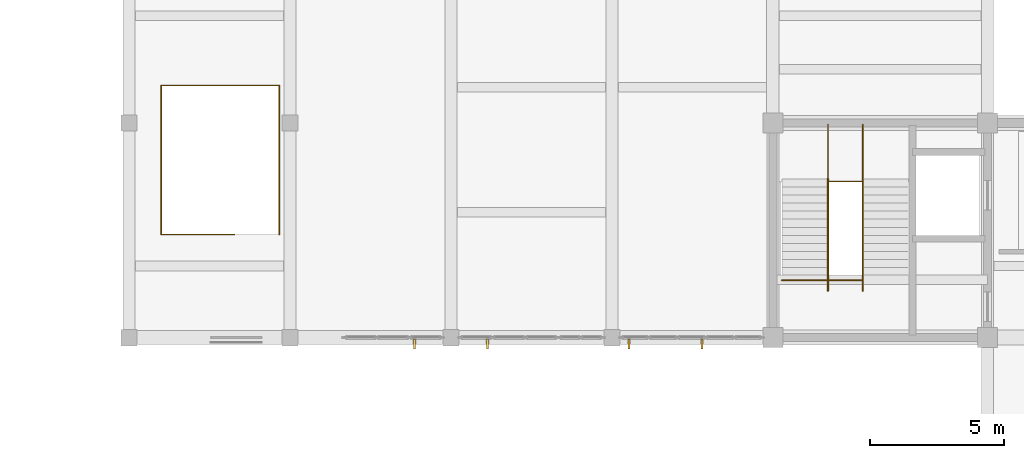
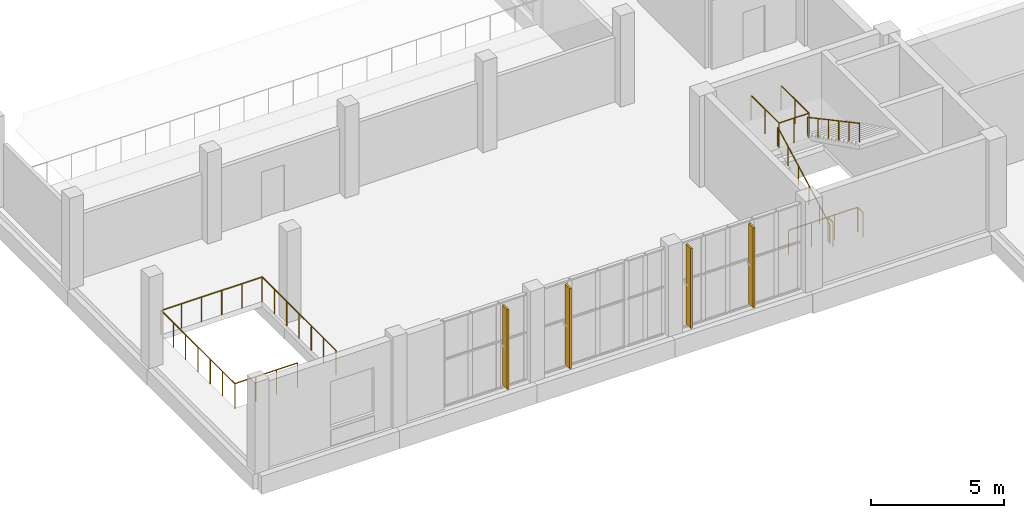
# One storey, part 75 of 85: 6 railings, 4 shading devices.
"""IFC4 building model written with IfcOpenShell, lengths in metres."""

from ifc_helpers import new_model, si_unit, direction, frame, origin, origin_2d, place, context, subcontext, project, spatial, rectangle, circle, extrude, material, type_object, element, save


model = new_model("IFC4")

# Units and contexts
model_context = context("Model", 3, precision=1e-05, world=origin(), true_north=direction((0.0, 1.0)))
body_context = subcontext(model_context, "Body", "Model", "MODEL_VIEW")
ifc_project = project(units=[si_unit("LENGTHUNIT", "METRE"), si_unit("AREAUNIT", "SQUARE_METRE"), si_unit("VOLUMEUNIT", "CUBIC_METRE"), si_unit("PLANEANGLEUNIT", "RADIAN"), si_unit("MASSUNIT", "GRAM", prefix="KILO")], contexts=[model_context])

# Site, building, storey
site_placement = place(None, origin())
site = spatial("IfcSite", under=ifc_project, at=site_placement, CompositionType="ELEMENT")
building_placement = place(site_placement, origin())
building = spatial("IfcBuilding", under=site, at=building_placement, Name="Solvane Community Centre", CompositionType="ELEMENT")
storey_placement = place(building_placement, frame((0.0, 0.0, 5.39990234375)))
storey = spatial("IfcBuildingStorey", under=building, at=storey_placement, Name="L01", CompositionType="ELEMENT", Elevation=5.39990234375)

# Shading devices
ifc_material = material(Name="Anodised bronze aluminium AW-6063 T6", Category="aluminium")
shading_device_type = type_object("IfcShadingDeviceType", Name="Art Deco Bronze Solar Fin 80x360", PredefinedType="USERDEFINED", material=ifc_material)
shading_device_1_placement = place(storey_placement, frame((57.360107421875, 21.760009765625, 0.14990234375), z_axis=(0.0, 0.0, 1.0), x_axis=(-1.0, 0.0, 0.0)))
element("IfcShadingDevice", 1, at=shading_device_1_placement, inside=storey, type_object=shading_device_type, Name="Solar Brise-Soleil Fin 41", ObjectType="Solar Brise-Soleil Fin 41", PredefinedType="USERDEFINED", context=body_context, shape_type="SweptSolid", body=[
    extrude(rectangle(XDim=0.080078125, YDim=0.360107421875, at=origin_2d()), origin(), (0.0, 0.0, 1.0), 3.679931640625),
])
shading_device_2_placement = place(storey_placement, frame((54.639892578125, 21.760009765625, 0.14990234375), z_axis=(0.0, 0.0, 1.0), x_axis=(-1.0, 0.0, 0.0)))
element("IfcShadingDevice", 2, at=shading_device_2_placement, inside=storey, type_object=shading_device_type, Name="Solar Brise-Soleil Fin 42", ObjectType="Solar Brise-Soleil Fin 42", PredefinedType="USERDEFINED", context=body_context, shape_type="SweptSolid", body=[
    extrude(rectangle(XDim=0.080078125, YDim=0.360107421875, at=origin_2d()), origin(), (0.0, 0.0, 1.0), 3.679931640625),
])
shading_device_3_placement = place(storey_placement, frame((49.360107421875, 21.760009765625, 0.14990234375), z_axis=(0.0, 0.0, 1.0), x_axis=(-1.0, 0.0, 0.0)))
element("IfcShadingDevice", 3, at=shading_device_3_placement, inside=storey, type_object=shading_device_type, Name="Solar Brise-Soleil Fin 43", ObjectType="Solar Brise-Soleil Fin 43", PredefinedType="USERDEFINED", context=body_context, shape_type="SweptSolid", body=[
    extrude(rectangle(XDim=0.080078125, YDim=0.360107421875, at=origin_2d()), origin(), (0.0, 0.0, 1.0), 3.679931640625),
])
shading_device_4_placement = place(storey_placement, frame((46.639892578125, 21.760009765625, 0.14990234375), z_axis=(0.0, 0.0, 1.0), x_axis=(-1.0, 0.0, 0.0)))
element("IfcShadingDevice", 4, at=shading_device_4_placement, inside=storey, type_object=shading_device_type, Name="Solar Brise-Soleil Fin 44", ObjectType="Solar Brise-Soleil Fin 44", PredefinedType="USERDEFINED", context=body_context, shape_type="SweptSolid", body=[
    extrude(rectangle(XDim=0.080078125, YDim=0.360107421875, at=origin_2d()), origin(), (0.0, 0.0, 1.0), 3.679931640625),
])

# Railings
railing_type_1 = type_object("IfcRailingType", Name="Interior Gallery & Stair Well Guard 1150mm", PredefinedType="BALUSTRADE", material=ifc_material)
railing_1_placement = place(storey_placement, frame((62.050048828125, 29.93994140625, 2.10009765625)))
element("IfcRailing", 5, at=railing_1_placement, inside=storey, type_object=railing_type_1, Name="Railing GR-L01-006", PredefinedType="BALUSTRADE", context=body_context, shape_type="SweptSolid", body=[
    extrude(circle(Radius=0.02392578125, at=origin_2d()), frame((0.0, 0.0, 1.1259765625), z_axis=(0.0, -1.0, 0.0), x_axis=(1.0, 0.0, 0.0)), (0.0, 0.0, 1.0), 2.119873046875),
    extrude(circle(Radius=0.02392578125, at=origin_2d()), frame((0.0, -2.119873046875, 1.1259765625), z_axis=(1.0, 0.0, 0.0), x_axis=(0.0, 1.0, 0.0)), (0.0, 0.0, 1.0), 1.300048828125),
    extrude(circle(Radius=0.02392578125, at=origin_2d()), frame((1.300048828125, -2.119873046875, 1.1259765625), z_axis=(0.0, 1.0, 0.0), x_axis=(-1.0, 0.0, 0.0)), (0.0, 0.0, 1.0), 2.119873046875),
    extrude(circle(Radius=0.02099609375, at=origin_2d()), origin(), (0.0, 0.0, 1.0), 1.101806640625),
    extrude(circle(Radius=0.02099609375, at=origin_2d()), frame((0.0, -1.06005859375, 0.0)), (0.0, 0.0, 1.0), 1.101806640625),
    extrude(circle(Radius=0.02099609375, at=origin_2d()), frame((0.0, -2.119873046875, 0.0)), (0.0, 0.0, 1.0), 1.101806640625),
    extrude(circle(Radius=0.02099609375, at=origin_2d()), frame((0.64990234375, -2.119873046875, 0.0)), (0.0, 0.0, 1.0), 1.101806640625),
    extrude(circle(Radius=0.02099609375, at=origin_2d()), frame((1.300048828125, -2.119873046875, 0.0)), (0.0, 0.0, 1.0), 1.101806640625),
    extrude(circle(Radius=0.02099609375, at=origin_2d()), frame((1.300048828125, -1.06005859375, 0.0)), (0.0, 0.0, 1.0), 1.101806640625),
    extrude(circle(Radius=0.02099609375, at=origin_2d()), frame((1.300048828125, 0.0, 0.0)), (0.0, 0.0, 1.0), 1.101806640625),
])
railing_2_placement = place(storey_placement, frame((60.340087890625, 24.139892578125, 0.0)))
element("IfcRailing", 6, at=railing_2_placement, inside=storey, type_object=railing_type_1, Name="Railing GR-L01-007", PredefinedType="BALUSTRADE", context=body_context, shape_type="SweptSolid", body=[
    extrude(circle(Radius=0.02392578125, at=origin_2d()), frame((0.0, 0.0, 1.1259765625), z_axis=(1.0, 0.0, 0.0), x_axis=(0.0, 1.0, 0.0)), (0.0, 0.0, 1.0), 3.010009765625),
    extrude(circle(Radius=0.02392578125, at=origin_2d()), frame((3.010009765625, 0.0, 1.1259765625), z_axis=(0.0, -1.0, 0.0), x_axis=(1.0, 0.0, 0.0)), (0.0, 0.0, 1.0), 0.389892578125),
    extrude(circle(Radius=0.02099609375, at=origin_2d()), origin(), (0.0, 0.0, 1.0), 1.101806640625),
    extrude(circle(Radius=0.02099609375, at=origin_2d()), frame((1.00341796875, 0.0, 0.0)), (0.0, 0.0, 1.0), 1.101806640625),
    extrude(circle(Radius=0.02099609375, at=origin_2d()), frame((2.006591796875, 0.0, 0.0)), (0.0, 0.0, 1.0), 1.101806640625),
    extrude(circle(Radius=0.02099609375, at=origin_2d()), frame((3.010009765625, 0.0, 0.0)), (0.0, 0.0, 1.0), 1.101806640625),
    extrude(circle(Radius=0.02099609375, at=origin_2d()), frame((3.010009765625, -0.389892578125, 0.0)), (0.0, 0.0, 1.0), 1.101806640625),
])
railing_3_placement = place(storey_placement, frame((62.050048828125, 23.75, 0.0)))
element("IfcRailing", 7, at=railing_3_placement, inside=storey, type_object=railing_type_1, Name="Railing GR-L01-008", PredefinedType="BALUSTRADE", context=body_context, shape_type="SweptSolid", body=[
    extrude(circle(Radius=0.02392578125, at=origin_2d()), frame((0.0, 0.0, 1.1259765625), z_axis=(0.0, 1.0, 0.0), x_axis=(-1.0, 0.0, 0.0)), (0.0, 0.0, 1.0), 0.389892578125),
    extrude(circle(Radius=0.02099609375, at=origin_2d()), origin(), (0.0, 0.0, 1.0), 1.101806640625),
    extrude(circle(Radius=0.02099609375, at=origin_2d()), frame((0.0, 0.389892578125, 0.0)), (0.0, 0.0, 1.0), 1.101806640625),
])
railing_4_placement = place(storey_placement, frame((39.929931640625, 25.840087890625, 0.0)))
element("IfcRailing", 8, at=railing_4_placement, inside=storey, type_object=railing_type_1, Name="Railing GR-L01-107", PredefinedType="BALUSTRADE", context=body_context, shape_type="SweptSolid", body=[
    extrude(circle(Radius=0.02392578125, at=origin_2d()), frame((0.0, 0.0, 1.1259765625), z_axis=(-1.0, 0.0, 0.0), x_axis=(0.0, -1.0, 0.0)), (0.0, 0.0, 1.0), 2.72998046875),
    extrude(circle(Radius=0.02392578125, at=origin_2d()), frame((-2.72998046875, 0.0, 1.1259765625), z_axis=(0.0, 1.0, 0.0), x_axis=(-1.0, 0.0, 0.0)), (0.0, 0.0, 1.0), 5.559814453125),
    extrude(circle(Radius=0.02392578125, at=origin_2d()), frame((-2.72998046875, 5.559814453125, 1.1259765625), z_axis=(1.0, 0.0, 0.0), x_axis=(0.0, 1.0, 0.0)), (0.0, 0.0, 1.0), 4.400146484375),
    extrude(circle(Radius=0.02392578125, at=origin_2d()), frame((1.670166015625, 5.559814453125, 1.1259765625), z_axis=(0.0, -1.0, 0.0), x_axis=(1.0, 0.0, 0.0)), (0.0, 0.0, 1.0), 5.559814453125),
    extrude(circle(Radius=0.02099609375, at=origin_2d()), origin(), (0.0, 0.0, 1.0), 1.101806640625),
    extrude(circle(Radius=0.02099609375, at=origin_2d()), frame((-0.909912109375, 0.0, 0.0)), (0.0, 0.0, 1.0), 1.101806640625),
    extrude(circle(Radius=0.02099609375, at=origin_2d()), frame((-1.820068359375, 0.0, 0.0)), (0.0, 0.0, 1.0), 1.101806640625),
    extrude(circle(Radius=0.02099609375, at=origin_2d()), frame((-2.72998046875, 0.0, 0.0)), (0.0, 0.0, 1.0), 1.101806640625),
    extrude(circle(Radius=0.02099609375, at=origin_2d()), frame((-2.72998046875, 0.9267578125, 0.0)), (0.0, 0.0, 1.0), 1.101806640625),
    extrude(circle(Radius=0.02099609375, at=origin_2d()), frame((-2.72998046875, 1.853271484375, 0.0)), (0.0, 0.0, 1.0), 1.101806640625),
    extrude(circle(Radius=0.02099609375, at=origin_2d()), frame((-2.72998046875, 2.77978515625, 0.0)), (0.0, 0.0, 1.0), 1.101806640625),
    extrude(circle(Radius=0.02099609375, at=origin_2d()), frame((-2.72998046875, 3.70654296875, 0.0)), (0.0, 0.0, 1.0), 1.101806640625),
    extrude(circle(Radius=0.02099609375, at=origin_2d()), frame((-2.72998046875, 4.63330078125, 0.0)), (0.0, 0.0, 1.0), 1.101806640625),
    extrude(circle(Radius=0.02099609375, at=origin_2d()), frame((-2.72998046875, 5.559814453125, 0.0)), (0.0, 0.0, 1.0), 1.101806640625),
    extrude(circle(Radius=0.02099609375, at=origin_2d()), frame((-1.849853515625, 5.559814453125, 0.0)), (0.0, 0.0, 1.0), 1.101806640625),
    extrude(circle(Radius=0.02099609375, at=origin_2d()), frame((-0.969970703125, 5.559814453125, 0.0)), (0.0, 0.0, 1.0), 1.101806640625),
    extrude(circle(Radius=0.02099609375, at=origin_2d()), frame((-0.08984375, 5.559814453125, 0.0)), (0.0, 0.0, 1.0), 1.101806640625),
    extrude(circle(Radius=0.02099609375, at=origin_2d()), frame((0.7900390625, 5.559814453125, 0.0)), (0.0, 0.0, 1.0), 1.101806640625),
    extrude(circle(Radius=0.02099609375, at=origin_2d()), frame((1.670166015625, 5.559814453125, 0.0)), (0.0, 0.0, 1.0), 1.101806640625),
    extrude(circle(Radius=0.02099609375, at=origin_2d()), frame((1.670166015625, 4.63330078125, 0.0)), (0.0, 0.0, 1.0), 1.101806640625),
    extrude(circle(Radius=0.02099609375, at=origin_2d()), frame((1.670166015625, 3.70654296875, 0.0)), (0.0, 0.0, 1.0), 1.101806640625),
    extrude(circle(Radius=0.02099609375, at=origin_2d()), frame((1.670166015625, 2.77978515625, 0.0)), (0.0, 0.0, 1.0), 1.101806640625),
    extrude(circle(Radius=0.02099609375, at=origin_2d()), frame((1.670166015625, 1.853271484375, 0.0)), (0.0, 0.0, 1.0), 1.101806640625),
    extrude(circle(Radius=0.02099609375, at=origin_2d()), frame((1.670166015625, 0.9267578125, 0.0)), (0.0, 0.0, 1.0), 1.101806640625),
    extrude(circle(Radius=0.02099609375, at=origin_2d()), frame((1.670166015625, 0.0, 0.0)), (0.0, 0.0, 1.0), 1.101806640625),
])
railing_type_2 = type_object("IfcRailingType", Name="Stair Pitch Handrail 900mm", PredefinedType="HANDRAIL", material=ifc_material)
railing_5_placement = place(storey_placement, frame((62.050048828125, 24.0, 0.0)))
element("IfcRailing", 9, at=railing_5_placement, inside=storey, type_object=railing_type_2, Name="Railing HR-L01-004", PredefinedType="HANDRAIL", context=body_context, shape_type="SweptSolid", body=[
    extrude(circle(Radius=0.02392578125, at=origin_2d()), frame((0.0, 0.0, 0.8759765625), z_axis=(0.0, 0.881466911329, 0.472245787945), x_axis=(-1.0, 0.0, 0.0)), (0.0, 0.0, 1.0), 4.447021484375),
    extrude(circle(Radius=0.02099609375, at=origin_2d()), origin(), (0.0, 0.0, 1.0), 0.851806640625),
    extrude(circle(Radius=0.02099609375, at=origin_2d()), frame((0.0, 0.783935546875, 0.419921875)), (0.0, 0.0, 1.0), 0.851806640625),
    extrude(circle(Radius=0.02099609375, at=origin_2d()), frame((0.0, 1.56787109375, 0.840087890625)), (0.0, 0.0, 1.0), 0.851806640625),
    extrude(circle(Radius=0.02099609375, at=origin_2d()), frame((0.0, 2.35205078125, 1.260009765625)), (0.0, 0.0, 1.0), 0.851806640625),
    extrude(circle(Radius=0.02099609375, at=origin_2d()), frame((0.0, 3.135986328125, 1.68017578125)), (0.0, 0.0, 1.0), 0.851806640625),
    extrude(circle(Radius=0.02099609375, at=origin_2d()), frame((0.0, 3.919921875, 2.10009765625)), (0.0, 0.0, 1.0), 0.851806640625),
])
railing_6_placement = place(storey_placement, frame((63.35009765625, 27.919921875, 2.10009765625)))
element("IfcRailing", 10, at=railing_6_placement, inside=storey, type_object=railing_type_2, Name="Railing HR-L01-005", PredefinedType="HANDRAIL", context=body_context, shape_type="SweptSolid", body=[
    extrude(circle(Radius=0.02392578125, at=origin_2d()), frame((0.0, 0.0, 0.8759765625), z_axis=(0.0, -0.881466911329, 0.472245787945), x_axis=(1.0, 0.0, 0.0)), (0.0, 0.0, 1.0), 4.447021484375),
    extrude(circle(Radius=0.02099609375, at=origin_2d()), origin(), (0.0, 0.0, 1.0), 0.851806640625),
    extrude(circle(Radius=0.02099609375, at=origin_2d()), frame((0.0, -0.783935546875, 0.419921875)), (0.0, 0.0, 1.0), 0.851806640625),
    extrude(circle(Radius=0.02099609375, at=origin_2d()), frame((0.0, -1.56787109375, 0.840087890625)), (0.0, 0.0, 1.0), 0.851806640625),
    extrude(circle(Radius=0.02099609375, at=origin_2d()), frame((0.0, -2.35205078125, 1.260009765625)), (0.0, 0.0, 1.0), 0.851806640625),
    extrude(circle(Radius=0.02099609375, at=origin_2d()), frame((0.0, -3.135986328125, 1.68017578125)), (0.0, 0.0, 1.0), 0.851806640625),
    extrude(circle(Radius=0.02099609375, at=origin_2d()), frame((0.0, -3.919921875, 2.10009765625)), (0.0, 0.0, 1.0), 0.851806640625),
])

save(model, "model.ifc")
